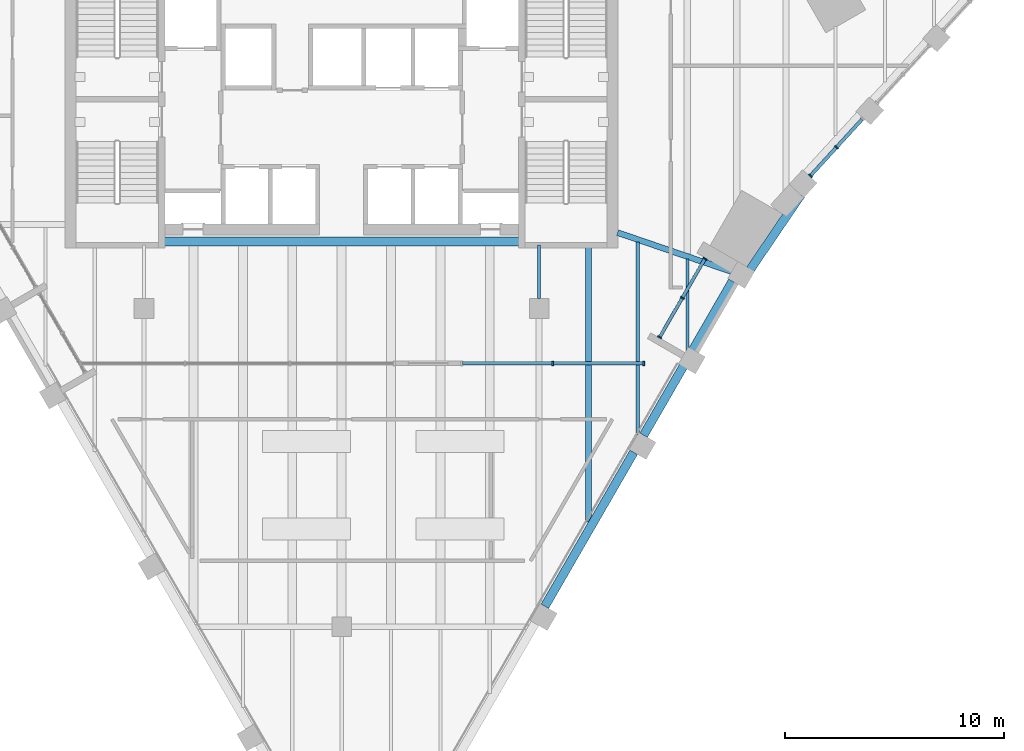
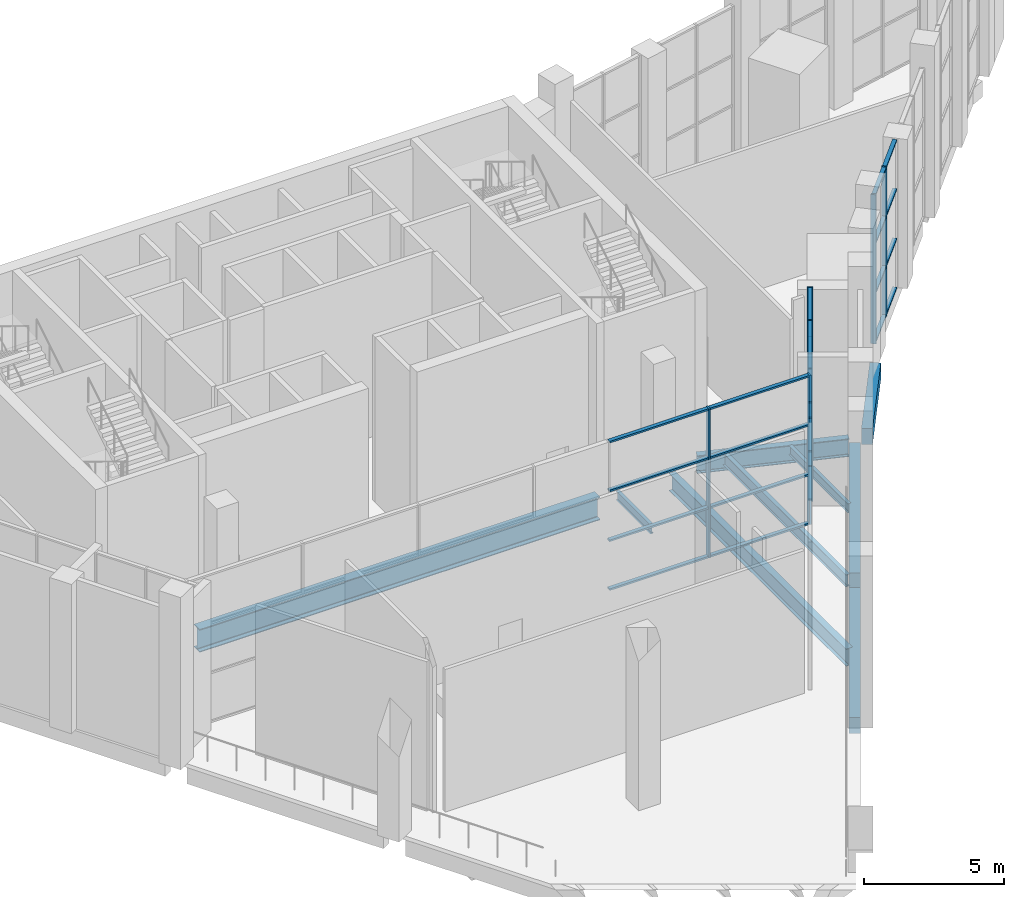
# One storey, part 3 of 14: 31 members, 9 beams, 3 elements without a shape of their own.
"""IFC4 building model written with IfcOpenShell, lengths in metres."""

from ifc_helpers import new_model, si_unit, direction, frame, origin, origin_2d, place, context, subcontext, project, spatial, rectangle, i_section, extrude, material, material_profile, profile_set, type_object, element, aggregate, save


model = new_model("IFC4")

# Units and contexts
model_context = context("Model", 3, precision=1e-05, world=origin(), true_north=direction((0.0, 1.0)))
body_context = subcontext(model_context, "Body", "Model", "MODEL_VIEW")
ifc_project = project(units=[si_unit("LENGTHUNIT", "METRE"), si_unit("AREAUNIT", "SQUARE_METRE"), si_unit("VOLUMEUNIT", "CUBIC_METRE"), si_unit("PLANEANGLEUNIT", "RADIAN"), si_unit("MASSUNIT", "GRAM", prefix="KILO")], contexts=[model_context])

# Site, building, storey
site_placement = place(None, origin())
site = spatial("IfcSite", under=ifc_project, at=site_placement, CompositionType="ELEMENT")
building_placement = place(site_placement, origin())
building = spatial("IfcBuilding", under=site, at=building_placement, Name="Calabash Gate Tower", CompositionType="ELEMENT")
storey_placement = place(building_placement, frame((0.0, 0.0, 295.0)))
storey = spatial("IfcBuildingStorey", under=building, at=storey_placement, Name="L71", CompositionType="ELEMENT", Elevation=295.0)

# Beams
ifc_material_1 = material(Name="Concrete C50/60", Category="concrete")
ifc_material_profile_1 = material_profile(ifc_material_1, rectangle(XDim=0.39990234375, YDim=0.699951171875, at=origin_2d()))
ifc_profile_set_1 = profile_set([ifc_material_profile_1], Name="Concrete C50/60")
beam_type_1 = type_object("IfcBeamType", Name="Edge beam RC 400x700 Concrete C50/60", PredefinedType="BEAM", material=ifc_profile_set_1)
beam_1_placement = place(storey_placement, frame((9.260009765625, -11.069091796875, -0.52001953125), z_axis=(0.499986829629, 0.866033007568, 0.0), x_axis=(-0.866033007568, 0.499986829629, 0.0)))
element("IfcBeam", 1, at=beam_1_placement, inside=storey, type_object=beam_type_1, Name="Edge beam L71 7", PredefinedType="BEAM", context=body_context, shape_type="SweptSolid", body=[
    extrude(rectangle(XDim=0.39990234375, YDim=0.699951171875, at=origin_2d()), origin(), (0.0, 0.0, 1.0), 8.100341796875),
])
beam_2_placement = place(storey_placement, frame((13.760009765625, -3.27294921875, -0.52001953125), z_axis=(0.500104308266, 0.865965173003, 0.0), x_axis=(-0.865965173003, 0.500104308266, 0.0)))
element("IfcBeam", 2, at=beam_2_placement, inside=storey, type_object=beam_type_1, Name="Edge beam L71 8", PredefinedType="BEAM", context=body_context, shape_type="SweptSolid", body=[
    extrude(rectangle(XDim=0.39990234375, YDim=0.699951171875, at=origin_2d()), origin(), (0.0, 0.0, 1.0), 8.098388671875),
])
beam_3_placement = place(storey_placement, frame((18.623046875, 4.283935546875, -0.52001953125), z_axis=(0.561853107026, 0.827237019315, 0.0), x_axis=(-0.827237019315, 0.561853107026, 0.0)))
element("IfcBeam", 3, at=beam_3_placement, inside=storey, type_object=beam_type_1, Name="Edge beam L71 9", PredefinedType="BEAM", context=body_context, shape_type="SweptSolid", body=[
    extrude(rectangle(XDim=0.39990234375, YDim=0.699951171875, at=origin_2d()), origin(), (0.0, 0.0, 1.0), 4.107666015625),
])
ifc_material_2 = material(Name="Steel ASTM A992 Gr50", Category="steel")
ifc_material_profile_2 = material_profile(ifc_material_2, i_section(OverallWidth=0.1396484375, OverallDepth=0.398681640625, WebThickness=0.00634765625, FlangeThickness=0.0087890625, FilletRadius=0.01025390625, at=origin_2d()))
ifc_profile_set_2 = profile_set([ifc_material_profile_2], Name="Steel ASTM A992 Gr50")
beam_type_2 = type_object("IfcBeamType", Name="Floor beam W16x26 ASTM A992 Gr50", PredefinedType="BEAM", material=ifc_profile_set_2)
beam_4_placement = place(storey_placement, frame((9.0, 2.949951171875, -0.368896484375), z_axis=(0.0, 1.0, 0.0), x_axis=(-1.0, 0.0, 0.0)))
element("IfcBeam", 4, at=beam_4_placement, inside=storey, type_object=beam_type_2, Name="Floor beam L71 22", PredefinedType="BEAM", context=body_context, shape_type="SweptSolid", body=[
    extrude(i_section(OverallWidth=0.1396484375, OverallDepth=0.398681640625, WebThickness=0.00634765625, FlangeThickness=0.0087890625, FilletRadius=0.01025390625, at=origin_2d()), origin(), (0.0, 0.0, 1.0), 2.453125),
])
beam_5_placement = place(storey_placement, frame((15.75, 0.56005859375, -0.368896484375), z_axis=(0.0, 1.0, 0.0), x_axis=(-1.0, 0.0, 0.0)))
element("IfcBeam", 5, at=beam_5_placement, inside=storey, type_object=beam_type_2, Name="Floor beam L71 25", PredefinedType="BEAM", context=body_context, shape_type="SweptSolid", body=[
    extrude(i_section(OverallWidth=0.1396484375, OverallDepth=0.398681640625, WebThickness=0.00634765625, FlangeThickness=0.0087890625, FilletRadius=0.01025390625, at=origin_2d()), origin(), (0.0, 0.0, 1.0), 4.200927734375),
])
ifc_material_3 = material(Name="Steel ASTM A992 Gr50", Category="steel")
ifc_material_profile_3 = material_profile(ifc_material_3, i_section(OverallWidth=0.166015625, OverallDepth=0.5283203125, WebThickness=0.009765625, FlangeThickness=0.013671875, FilletRadius=0.0126953125, at=origin_2d()))
ifc_profile_set_3 = profile_set([ifc_material_profile_3], Name="Steel ASTM A992 Gr50")
beam_type_3 = type_object("IfcBeamType", Name="Floor beam W21x50 ASTM A992 Gr50", PredefinedType="BEAM", material=ifc_profile_set_3)
beam_6_placement = place(storey_placement, frame((13.5, -3.237060546875, -0.43408203125), z_axis=(0.0, 1.0, 0.0), x_axis=(-1.0, 0.0, 0.0)))
element("IfcBeam", 6, at=beam_6_placement, inside=storey, type_object=beam_type_3, Name="Floor beam L71 24", PredefinedType="BEAM", context=body_context, shape_type="SweptSolid", body=[
    extrude(i_section(OverallWidth=0.166015625, OverallDepth=0.5283203125, WebThickness=0.009765625, FlangeThickness=0.013671875, FilletRadius=0.0126953125, at=origin_2d()), origin(), (0.0, 0.0, 1.0), 8.76806640625),
])
ifc_material_4 = material(Name="Steel ASTM A992 Gr50", Category="steel")
ifc_material_profile_4 = material_profile(ifc_material_4, i_section(OverallWidth=0.2666015625, OverallDepth=0.7568359375, WebThickness=0.013916015625, FlangeThickness=0.019287109375, FilletRadius=0.0166015625, at=origin_2d()))
ifc_profile_set_4 = profile_set([ifc_material_profile_4], Name="Steel ASTM A992 Gr50")
beam_type_4 = type_object("IfcBeamType", Name="Floor beam W30x108 ASTM A992 Gr50", PredefinedType="BEAM", material=ifc_profile_set_4)
beam_7_placement = place(storey_placement, frame((11.25, -7.23388671875, -0.548095703125), z_axis=(0.0, 1.0, 0.0), x_axis=(-1.0, 0.0, 0.0)))
element("IfcBeam", 7, at=beam_7_placement, inside=storey, type_object=beam_type_4, Name="Floor beam L71 23", PredefinedType="BEAM", context=body_context, shape_type="SweptSolid", body=[
    extrude(i_section(OverallWidth=0.2666015625, OverallDepth=0.7568359375, WebThickness=0.013916015625, FlangeThickness=0.019287109375, FilletRadius=0.0166015625, at=origin_2d()), origin(), (0.0, 0.0, 1.0), 12.636962890625),
])
ifc_material_5 = material(Name="Steel ASTM A992 Gr50", Category="steel")
ifc_material_profile_5 = material_profile(ifc_material_5, i_section(OverallWidth=0.2666015625, OverallDepth=0.77978515625, WebThickness=0.0166015625, FlangeThickness=0.030029296875, FilletRadius=0.0166015625, at=origin_2d()))
ifc_profile_set_5 = profile_set([ifc_material_profile_5], Name="Steel ASTM A992 Gr50")
beam_type_5 = type_object("IfcBeamType", Name="Girder W30x148 ASTM A992 Gr50", PredefinedType="BEAM", material=ifc_profile_set_5)
beam_8_placement = place(storey_placement, frame((17.803955078125, 4.16796875, -0.56005859375), z_axis=(-0.946191727355, 0.323606574539, 0.0), x_axis=(-0.323606574539, -0.946191727355, 0.0)))
element("IfcBeam", 8, at=beam_8_placement, inside=storey, type_object=beam_type_5, Name="Girder L71 3", PredefinedType="BEAM", context=body_context, shape_type="SweptSolid", body=[
    extrude(i_section(OverallWidth=0.2666015625, OverallDepth=0.77978515625, WebThickness=0.0166015625, FlangeThickness=0.030029296875, FilletRadius=0.0166015625, at=origin_2d()), origin(), (0.0, 0.0, 1.0), 5.531494140625),
])
ifc_material_6 = material(Name="Steel ASTM A992 Gr50", Category="steel")
ifc_material_profile_6 = material_profile(ifc_material_6, i_section(OverallWidth=0.4013671875, OverallDepth=1.000732421875, WebThickness=0.01904296875, FlangeThickness=0.0361328125, FilletRadius=0.030029296875, at=origin_2d()))
ifc_profile_set_6 = profile_set([ifc_material_profile_6], Name="Steel ASTM A992 Gr50")
beam_type_6 = type_object("IfcBeamType", Name="Girder W40x249 ASTM A992 Gr50", PredefinedType="BEAM", material=ifc_profile_set_6)
beam_9_placement = place(storey_placement, frame((-8.25, 5.552978515625, -0.669921875), z_axis=(1.0, 0.0, 0.0), x_axis=(0.0, 1.0, 0.0)))
element("IfcBeam", 9, at=beam_9_placement, inside=storey, type_object=beam_type_6, Name="Girder L71 1", PredefinedType="BEAM", context=body_context, shape_type="SweptSolid", body=[
    extrude(i_section(OverallWidth=0.4013671875, OverallDepth=1.000732421875, WebThickness=0.01904296875, FlangeThickness=0.0361328125, FilletRadius=0.030029296875, at=origin_2d()), origin(), (0.0, 0.0, 1.0), 16.5),
])

# Curtain wall, members
ifc_material_7 = material(Name="Anodised aluminium frame, bronze finish, clear laminated impact-rated glazing", Category="aluminium")
curtain_wall_type_1 = type_object("IfcCurtainWallType", Name="Curtain wall CWP portal screen", PredefinedType="NOTDEFINED", material=ifc_material_7)
curtain_wall_1_placement = place(storey_placement, origin())
curtain_wall_1 = element("IfcCurtainWall", 10, at=curtain_wall_1_placement, inside=storey, type_object=curtain_wall_type_1, Name="Curtain wall CWP L71 portal screen B", PredefinedType="NOTDEFINED")
ifc_material_8 = material(Name="Anodised aluminium frame, bronze finish", Category="aluminium")
ifc_material_profile_7 = material_profile(ifc_material_8, rectangle(XDim=0.199951171875, YDim=0.074951171875, at=origin_2d()))
ifc_profile_set_7 = profile_set([ifc_material_profile_7], Name="Anodised aluminium frame, bronze finish")
member_type_1 = type_object("IfcMemberType", Name="Mullion CWP 75x200", PredefinedType="MULLION", material=ifc_profile_set_7)
member_1_placement = place(storey_placement, frame((9.619384765625, 0.0, 0.0), z_axis=(0.0, 0.0, 1.0), x_axis=(0.0, 1.0, 0.0)))
member_1 = element("IfcMember", 11, at=member_1_placement, type_object=member_type_1, Name="CWP mullion 2", PredefinedType="MULLION", context=body_context, shape_type="SweptSolid", body=[
    extrude(rectangle(XDim=0.199951171875, YDim=0.074951171875, at=origin_2d()), origin(), (0.0, 0.0, 1.0), 6.5),
])
member_2_placement = place(storey_placement, frame((13.765625, 0.0, 0.0), z_axis=(0.0, 0.0, 1.0), x_axis=(0.0, 1.0, 0.0)))
member_2 = element("IfcMember", 12, at=member_2_placement, type_object=member_type_1, Name="CWP mullion 3", PredefinedType="MULLION", context=body_context, shape_type="SweptSolid", body=[
    extrude(rectangle(XDim=0.199951171875, YDim=0.074951171875, at=origin_2d()), origin(), (0.0, 0.0, 1.0), 6.5),
])

ifc_material_9 = material(Name="Anodised aluminium frame, bronze finish, clear laminated low-emissivity glazing", Category="aluminium")
curtain_wall_type_2 = type_object("IfcCurtainWallType", Name="Curtain wall CWS sky lobby wall", PredefinedType="NOTDEFINED", material=ifc_material_9)
curtain_wall_2_placement = place(storey_placement, origin())
curtain_wall_2 = element("IfcCurtainWall", 13, at=curtain_wall_2_placement, inside=storey, type_object=curtain_wall_type_2, Name="Curtain wall CWS L71 SE2.6", PredefinedType="NOTDEFINED")
ifc_material_10 = material(Name="Anodised aluminium frame, bronze finish", Category="aluminium")
ifc_material_profile_8 = material_profile(ifc_material_10, rectangle(XDim=0.199951171875, YDim=0.06494140625, at=origin_2d()))
ifc_profile_set_8 = profile_set([ifc_material_profile_8], Name="Anodised aluminium frame, bronze finish")
member_type_2 = type_object("IfcMemberType", Name="Mullion CWS 65x200", PredefinedType="MULLION", material=ifc_profile_set_8)
member_3_placement = place(storey_placement, frame((14.490234375, 1.1904296875, 0.0), z_axis=(0.0, 0.0, 1.0), x_axis=(-0.866025421884, 0.499999968652, 0.0)))
member_3 = element("IfcMember", 14, at=member_3_placement, type_object=member_type_2, Name="CWS mullion 1", PredefinedType="MULLION", context=body_context, shape_type="SweptSolid", body=[
    extrude(rectangle(XDim=0.199951171875, YDim=0.06494140625, at=origin_2d()), origin(), (0.0, 0.0, 1.0), 6.420166015625),
])
member_4_placement = place(storey_placement, frame((15.524169921875, 2.98095703125, 0.0), z_axis=(0.0, 0.0, 1.0), x_axis=(-0.866025421884, 0.499999968652, 0.0)))
member_4 = element("IfcMember", 15, at=member_4_placement, type_object=member_type_2, Name="CWS mullion 2", PredefinedType="MULLION", context=body_context, shape_type="SweptSolid", body=[
    extrude(rectangle(XDim=0.199951171875, YDim=0.06494140625, at=origin_2d()), origin(), (0.0, 0.0, 1.0), 6.420166015625),
])
member_5_placement = place(storey_placement, frame((16.557861328125, 4.771484375, 0.0), z_axis=(0.0, 0.0, 1.0), x_axis=(-0.866025421884, 0.499999968652, 0.0)))
member_5 = element("IfcMember", 16, at=member_5_placement, type_object=member_type_2, Name="CWS mullion 3", PredefinedType="MULLION", context=body_context, shape_type="SweptSolid", body=[
    extrude(rectangle(XDim=0.199951171875, YDim=0.06494140625, at=origin_2d()), origin(), (0.0, 0.0, 1.0), 6.420166015625),
])

ifc_material_11 = material(Name="Anodised aluminium frame, bronze finish, clear laminated impact-rated glazing", Category="aluminium")
curtain_wall_type_3 = type_object("IfcCurtainWallType", Name="Curtain wall CWW wedge prow wall", PredefinedType="NOTDEFINED", material=ifc_material_11)
curtain_wall_3_placement = place(storey_placement, origin())
curtain_wall_3 = element("IfcCurtainWall", 17, at=curtain_wall_3_placement, inside=storey, type_object=curtain_wall_type_3, Name="Curtain wall CWW L71 wedge3.1", PredefinedType="NOTDEFINED")
ifc_material_12 = material(Name="Anodised aluminium frame, bronze finish", Category="aluminium")
ifc_material_profile_9 = material_profile(ifc_material_12, rectangle(XDim=0.199951171875, YDim=0.070068359375, at=origin_2d()))
ifc_profile_set_9 = profile_set([ifc_material_profile_9], Name="Anodised aluminium frame, bronze finish")
member_type_3 = type_object("IfcMemberType", Name="Mullion CWW 70x200", PredefinedType="MULLION", material=ifc_profile_set_9)
member_6_placement = place(storey_placement, frame((21.35791015625, 8.54248046875, 0.0), z_axis=(0.0, 0.0, 1.0), x_axis=(-0.737949526234, 0.674855908125, 0.0)))
member_6 = element("IfcMember", 18, at=member_6_placement, type_object=member_type_3, Name="CWW mullion 1", PredefinedType="MULLION", context=body_context, shape_type="SweptSolid", body=[
    extrude(rectangle(XDim=0.199951171875, YDim=0.070068359375, at=origin_2d()), origin(), (0.0, 0.0, 1.0), 6.5),
])
member_7_placement = place(storey_placement, frame((22.548828125, 9.844970703125, 0.0), z_axis=(0.0, 0.0, 1.0), x_axis=(-0.737949526234, 0.674855908125, 0.0)))
member_7 = element("IfcMember", 19, at=member_7_placement, type_object=member_type_3, Name="CWW mullion 2", PredefinedType="MULLION", context=body_context, shape_type="SweptSolid", body=[
    extrude(rectangle(XDim=0.199951171875, YDim=0.070068359375, at=origin_2d()), origin(), (0.0, 0.0, 1.0), 6.5),
])

# Member
ifc_material_13 = material(Name="Anodised aluminium frame, bronze finish", Category="aluminium")
ifc_material_profile_10 = material_profile(ifc_material_13, rectangle(XDim=0.159912109375, YDim=0.074951171875, at=origin_2d()))
ifc_profile_set_10 = profile_set([ifc_material_profile_10], Name="Anodised aluminium frame, bronze finish")
member_type_4 = type_object("IfcMemberType", Name="Transom CWP 75x160", PredefinedType="USERDEFINED", material=ifc_profile_set_10)
member_8_placement = place(storey_placement, frame((5.510986328125, 0.0, 0.03759765625), z_axis=(1.0, 0.0, 0.0), x_axis=(0.0, 1.0, 0.0)))
member_8 = element("IfcMember", 20, at=member_8_placement, type_object=member_type_4, Name="CWP transom 1.1", ObjectType="TRANSOM", PredefinedType="USERDEFINED", context=body_context, shape_type="SweptSolid", body=[
    extrude(rectangle(XDim=0.159912109375, YDim=0.074951171875, at=origin_2d()), origin(), (0.0, 0.0, 1.0), 4.071044921875),
])

member_9_placement = place(storey_placement, frame((5.510986328125, 0.0, 2.166748046875), z_axis=(1.0, 0.0, 0.0), x_axis=(0.0, 1.0, 0.0)))
member_9 = element("IfcMember", 21, at=member_9_placement, type_object=member_type_4, Name="CWP transom 1.2", ObjectType="TRANSOM", PredefinedType="USERDEFINED", context=body_context, shape_type="SweptSolid", body=[
    extrude(rectangle(XDim=0.159912109375, YDim=0.074951171875, at=origin_2d()), origin(), (0.0, 0.0, 1.0), 4.071044921875),
])

member_10_placement = place(storey_placement, frame((5.510986328125, 0.0, 4.333251953125), z_axis=(1.0, 0.0, 0.0), x_axis=(0.0, 1.0, 0.0)))
member_10 = element("IfcMember", 22, at=member_10_placement, type_object=member_type_4, Name="CWP transom 1.3", ObjectType="TRANSOM", PredefinedType="USERDEFINED", context=body_context, shape_type="SweptSolid", body=[
    extrude(rectangle(XDim=0.159912109375, YDim=0.074951171875, at=origin_2d()), origin(), (0.0, 0.0, 1.0), 4.071044921875),
])

member_11_placement = place(storey_placement, frame((5.510986328125, 0.0, 6.46240234375), z_axis=(1.0, 0.0, 0.0), x_axis=(0.0, 1.0, 0.0)))
member_11 = element("IfcMember", 23, at=member_11_placement, type_object=member_type_4, Name="CWP transom 1.4", ObjectType="TRANSOM", PredefinedType="USERDEFINED", context=body_context, shape_type="SweptSolid", body=[
    extrude(rectangle(XDim=0.159912109375, YDim=0.074951171875, at=origin_2d()), origin(), (0.0, 0.0, 1.0), 4.071044921875),
])

member_12_placement = place(storey_placement, frame((9.656982421875, 0.0, 0.03759765625), z_axis=(1.0, 0.0, 0.0), x_axis=(0.0, 1.0, 0.0)))
member_12 = element("IfcMember", 24, at=member_12_placement, type_object=member_type_4, Name="CWP transom 2.1", ObjectType="TRANSOM", PredefinedType="USERDEFINED", context=body_context, shape_type="SweptSolid", body=[
    extrude(rectangle(XDim=0.159912109375, YDim=0.074951171875, at=origin_2d()), origin(), (0.0, 0.0, 1.0), 4.071044921875),
])

member_13_placement = place(storey_placement, frame((9.656982421875, 0.0, 2.166748046875), z_axis=(1.0, 0.0, 0.0), x_axis=(0.0, 1.0, 0.0)))
member_13 = element("IfcMember", 25, at=member_13_placement, type_object=member_type_4, Name="CWP transom 2.2", ObjectType="TRANSOM", PredefinedType="USERDEFINED", context=body_context, shape_type="SweptSolid", body=[
    extrude(rectangle(XDim=0.159912109375, YDim=0.074951171875, at=origin_2d()), origin(), (0.0, 0.0, 1.0), 4.071044921875),
])

member_14_placement = place(storey_placement, frame((9.656982421875, 0.0, 4.333251953125), z_axis=(1.0, 0.0, 0.0), x_axis=(0.0, 1.0, 0.0)))
member_14 = element("IfcMember", 26, at=member_14_placement, type_object=member_type_4, Name="CWP transom 2.3", ObjectType="TRANSOM", PredefinedType="USERDEFINED", context=body_context, shape_type="SweptSolid", body=[
    extrude(rectangle(XDim=0.159912109375, YDim=0.074951171875, at=origin_2d()), origin(), (0.0, 0.0, 1.0), 4.071044921875),
])

member_15_placement = place(storey_placement, frame((9.656982421875, 0.0, 6.46240234375), z_axis=(1.0, 0.0, 0.0), x_axis=(0.0, 1.0, 0.0)))
member_15 = element("IfcMember", 27, at=member_15_placement, type_object=member_type_4, Name="CWP transom 2.4", ObjectType="TRANSOM", PredefinedType="USERDEFINED", context=body_context, shape_type="SweptSolid", body=[
    extrude(rectangle(XDim=0.159912109375, YDim=0.074951171875, at=origin_2d()), origin(), (0.0, 0.0, 1.0), 4.071044921875),
])

aggregate(curtain_wall_1, [member_1, member_2, member_8, member_9, member_10, member_11, member_12, member_13, member_14, member_15])

ifc_material_14 = material(Name="Anodised aluminium frame, bronze finish", Category="aluminium")
ifc_material_profile_11 = material_profile(ifc_material_14, rectangle(XDim=0.14990234375, YDim=0.06494140625, at=origin_2d()))
ifc_profile_set_11 = profile_set([ifc_material_profile_11], Name="Anodised aluminium frame, bronze finish")
member_type_5 = type_object("IfcMemberType", Name="Transom CWS 65x150", PredefinedType="USERDEFINED", material=ifc_profile_set_11)
member_16_placement = place(storey_placement, frame((14.506591796875, 1.218505859375, 0.032470703125), z_axis=(0.499954620082, 0.866051602307, 0.0), x_axis=(-0.866051602307, 0.499954620082, 0.0)))
member_16 = element("IfcMember", 28, at=member_16_placement, type_object=member_type_5, Name="CWS transom 1.1", ObjectType="TRANSOM", PredefinedType="USERDEFINED", context=body_context, shape_type="SweptSolid", body=[
    extrude(rectangle(XDim=0.14990234375, YDim=0.06494140625, at=origin_2d()), origin(), (0.0, 0.0, 1.0), 2.002685546875),
])

member_17_placement = place(storey_placement, frame((14.506591796875, 1.218505859375, 2.14013671875), z_axis=(0.499954620082, 0.866051602307, 0.0), x_axis=(-0.866051602307, 0.499954620082, 0.0)))
member_17 = element("IfcMember", 29, at=member_17_placement, type_object=member_type_5, Name="CWS transom 1.2", ObjectType="TRANSOM", PredefinedType="USERDEFINED", context=body_context, shape_type="SweptSolid", body=[
    extrude(rectangle(XDim=0.14990234375, YDim=0.06494140625, at=origin_2d()), origin(), (0.0, 0.0, 1.0), 2.002685546875),
])

member_18_placement = place(storey_placement, frame((14.506591796875, 1.218505859375, 4.280029296875), z_axis=(0.499954620082, 0.866051602307, 0.0), x_axis=(-0.866051602307, 0.499954620082, 0.0)))
member_18 = element("IfcMember", 30, at=member_18_placement, type_object=member_type_5, Name="CWS transom 1.3", ObjectType="TRANSOM", PredefinedType="USERDEFINED", context=body_context, shape_type="SweptSolid", body=[
    extrude(rectangle(XDim=0.14990234375, YDim=0.06494140625, at=origin_2d()), origin(), (0.0, 0.0, 1.0), 2.002685546875),
])

member_19_placement = place(storey_placement, frame((14.506591796875, 1.218505859375, 6.3876953125), z_axis=(0.499954620082, 0.866051602307, 0.0), x_axis=(-0.866051602307, 0.499954620082, 0.0)))
member_19 = element("IfcMember", 31, at=member_19_placement, type_object=member_type_5, Name="CWS transom 1.4", ObjectType="TRANSOM", PredefinedType="USERDEFINED", context=body_context, shape_type="SweptSolid", body=[
    extrude(rectangle(XDim=0.14990234375, YDim=0.06494140625, at=origin_2d()), origin(), (0.0, 0.0, 1.0), 2.002685546875),
])

member_20_placement = place(storey_placement, frame((15.540283203125, 3.009033203125, 0.032470703125), z_axis=(0.499954620082, 0.866051602307, 0.0), x_axis=(-0.866051602307, 0.499954620082, 0.0)))
member_20 = element("IfcMember", 32, at=member_20_placement, type_object=member_type_5, Name="CWS transom 2.1", ObjectType="TRANSOM", PredefinedType="USERDEFINED", context=body_context, shape_type="SweptSolid", body=[
    extrude(rectangle(XDim=0.14990234375, YDim=0.06494140625, at=origin_2d()), origin(), (0.0, 0.0, 1.0), 2.002685546875),
])

member_21_placement = place(storey_placement, frame((15.540283203125, 3.009033203125, 2.14013671875), z_axis=(0.499954620082, 0.866051602307, 0.0), x_axis=(-0.866051602307, 0.499954620082, 0.0)))
member_21 = element("IfcMember", 33, at=member_21_placement, type_object=member_type_5, Name="CWS transom 2.2", ObjectType="TRANSOM", PredefinedType="USERDEFINED", context=body_context, shape_type="SweptSolid", body=[
    extrude(rectangle(XDim=0.14990234375, YDim=0.06494140625, at=origin_2d()), origin(), (0.0, 0.0, 1.0), 2.002685546875),
])

member_22_placement = place(storey_placement, frame((15.540283203125, 3.009033203125, 4.280029296875), z_axis=(0.499954620082, 0.866051602307, 0.0), x_axis=(-0.866051602307, 0.499954620082, 0.0)))
member_22 = element("IfcMember", 34, at=member_22_placement, type_object=member_type_5, Name="CWS transom 2.3", ObjectType="TRANSOM", PredefinedType="USERDEFINED", context=body_context, shape_type="SweptSolid", body=[
    extrude(rectangle(XDim=0.14990234375, YDim=0.06494140625, at=origin_2d()), origin(), (0.0, 0.0, 1.0), 2.002685546875),
])

member_23_placement = place(storey_placement, frame((15.540283203125, 3.009033203125, 6.3876953125), z_axis=(0.499954620082, 0.866051602307, 0.0), x_axis=(-0.866051602307, 0.499954620082, 0.0)))
member_23 = element("IfcMember", 35, at=member_23_placement, type_object=member_type_5, Name="CWS transom 2.4", ObjectType="TRANSOM", PredefinedType="USERDEFINED", context=body_context, shape_type="SweptSolid", body=[
    extrude(rectangle(XDim=0.14990234375, YDim=0.06494140625, at=origin_2d()), origin(), (0.0, 0.0, 1.0), 2.002685546875),
])

aggregate(curtain_wall_2, [member_3, member_4, member_5, member_16, member_17, member_18, member_19, member_20, member_21, member_22, member_23])

ifc_material_15 = material(Name="Anodised aluminium frame, bronze finish", Category="aluminium")
ifc_material_profile_12 = material_profile(ifc_material_15, rectangle(XDim=0.159912109375, YDim=0.070068359375, at=origin_2d()))
ifc_profile_set_12 = profile_set([ifc_material_profile_12], Name="Anodised aluminium frame, bronze finish")
member_type_6 = type_object("IfcMemberType", Name="Transom CWW 70x160", PredefinedType="USERDEFINED", material=ifc_profile_set_12)
member_24_placement = place(storey_placement, frame((21.38134765625, 8.568359375, 0.034912109375), z_axis=(0.674863326953, 0.737942741636, 0.0), x_axis=(-0.737942741636, 0.674863326953, 0.0)))
member_24 = element("IfcMember", 36, at=member_24_placement, type_object=member_type_6, Name="CWW transom 1.1", ObjectType="TRANSOM", PredefinedType="USERDEFINED", context=body_context, shape_type="SweptSolid", body=[
    extrude(rectangle(XDim=0.159912109375, YDim=0.070068359375, at=origin_2d()), origin(), (0.0, 0.0, 1.0), 1.6953125),
])

member_25_placement = place(storey_placement, frame((21.38134765625, 8.568359375, 2.166748046875), z_axis=(0.674863326953, 0.737942741636, 0.0), x_axis=(-0.737942741636, 0.674863326953, 0.0)))
member_25 = element("IfcMember", 37, at=member_25_placement, type_object=member_type_6, Name="CWW transom 1.2", ObjectType="TRANSOM", PredefinedType="USERDEFINED", context=body_context, shape_type="SweptSolid", body=[
    extrude(rectangle(XDim=0.159912109375, YDim=0.070068359375, at=origin_2d()), origin(), (0.0, 0.0, 1.0), 1.6953125),
])

member_26_placement = place(storey_placement, frame((21.38134765625, 8.568359375, 4.333251953125), z_axis=(0.674863326953, 0.737942741636, 0.0), x_axis=(-0.737942741636, 0.674863326953, 0.0)))
member_26 = element("IfcMember", 38, at=member_26_placement, type_object=member_type_6, Name="CWW transom 1.3", ObjectType="TRANSOM", PredefinedType="USERDEFINED", context=body_context, shape_type="SweptSolid", body=[
    extrude(rectangle(XDim=0.159912109375, YDim=0.070068359375, at=origin_2d()), origin(), (0.0, 0.0, 1.0), 1.6953125),
])

member_27_placement = place(storey_placement, frame((21.38134765625, 8.568359375, 6.465087890625), z_axis=(0.674863326953, 0.737942741636, 0.0), x_axis=(-0.737942741636, 0.674863326953, 0.0)))
member_27 = element("IfcMember", 39, at=member_27_placement, type_object=member_type_6, Name="CWW transom 1.4", ObjectType="TRANSOM", PredefinedType="USERDEFINED", context=body_context, shape_type="SweptSolid", body=[
    extrude(rectangle(XDim=0.159912109375, YDim=0.070068359375, at=origin_2d()), origin(), (0.0, 0.0, 1.0), 1.6953125),
])

member_28_placement = place(storey_placement, frame((22.572509765625, 9.870849609375, 0.034912109375), z_axis=(0.674863326953, 0.737942741636, 0.0), x_axis=(-0.737942741636, 0.674863326953, 0.0)))
member_28 = element("IfcMember", 40, at=member_28_placement, type_object=member_type_6, Name="CWW transom 2.1", ObjectType="TRANSOM", PredefinedType="USERDEFINED", context=body_context, shape_type="SweptSolid", body=[
    extrude(rectangle(XDim=0.159912109375, YDim=0.070068359375, at=origin_2d()), origin(), (0.0, 0.0, 1.0), 1.6953125),
])

member_29_placement = place(storey_placement, frame((22.572509765625, 9.870849609375, 2.166748046875), z_axis=(0.674863326953, 0.737942741636, 0.0), x_axis=(-0.737942741636, 0.674863326953, 0.0)))
member_29 = element("IfcMember", 41, at=member_29_placement, type_object=member_type_6, Name="CWW transom 2.2", ObjectType="TRANSOM", PredefinedType="USERDEFINED", context=body_context, shape_type="SweptSolid", body=[
    extrude(rectangle(XDim=0.159912109375, YDim=0.070068359375, at=origin_2d()), origin(), (0.0, 0.0, 1.0), 1.6953125),
])

member_30_placement = place(storey_placement, frame((22.572509765625, 9.870849609375, 4.333251953125), z_axis=(0.674863326953, 0.737942741636, 0.0), x_axis=(-0.737942741636, 0.674863326953, 0.0)))
member_30 = element("IfcMember", 42, at=member_30_placement, type_object=member_type_6, Name="CWW transom 2.3", ObjectType="TRANSOM", PredefinedType="USERDEFINED", context=body_context, shape_type="SweptSolid", body=[
    extrude(rectangle(XDim=0.159912109375, YDim=0.070068359375, at=origin_2d()), origin(), (0.0, 0.0, 1.0), 1.6953125),
])

member_31_placement = place(storey_placement, frame((22.572509765625, 9.870849609375, 6.465087890625), z_axis=(0.674863326953, 0.737942741636, 0.0), x_axis=(-0.737942741636, 0.674863326953, 0.0)))
member_31 = element("IfcMember", 43, at=member_31_placement, type_object=member_type_6, Name="CWW transom 2.4", ObjectType="TRANSOM", PredefinedType="USERDEFINED", context=body_context, shape_type="SweptSolid", body=[
    extrude(rectangle(XDim=0.159912109375, YDim=0.070068359375, at=origin_2d()), origin(), (0.0, 0.0, 1.0), 1.6953125),
])

aggregate(curtain_wall_3, [member_6, member_7, member_24, member_25, member_26, member_27, member_28, member_29, member_30, member_31])

save(model, "model.ifc")
